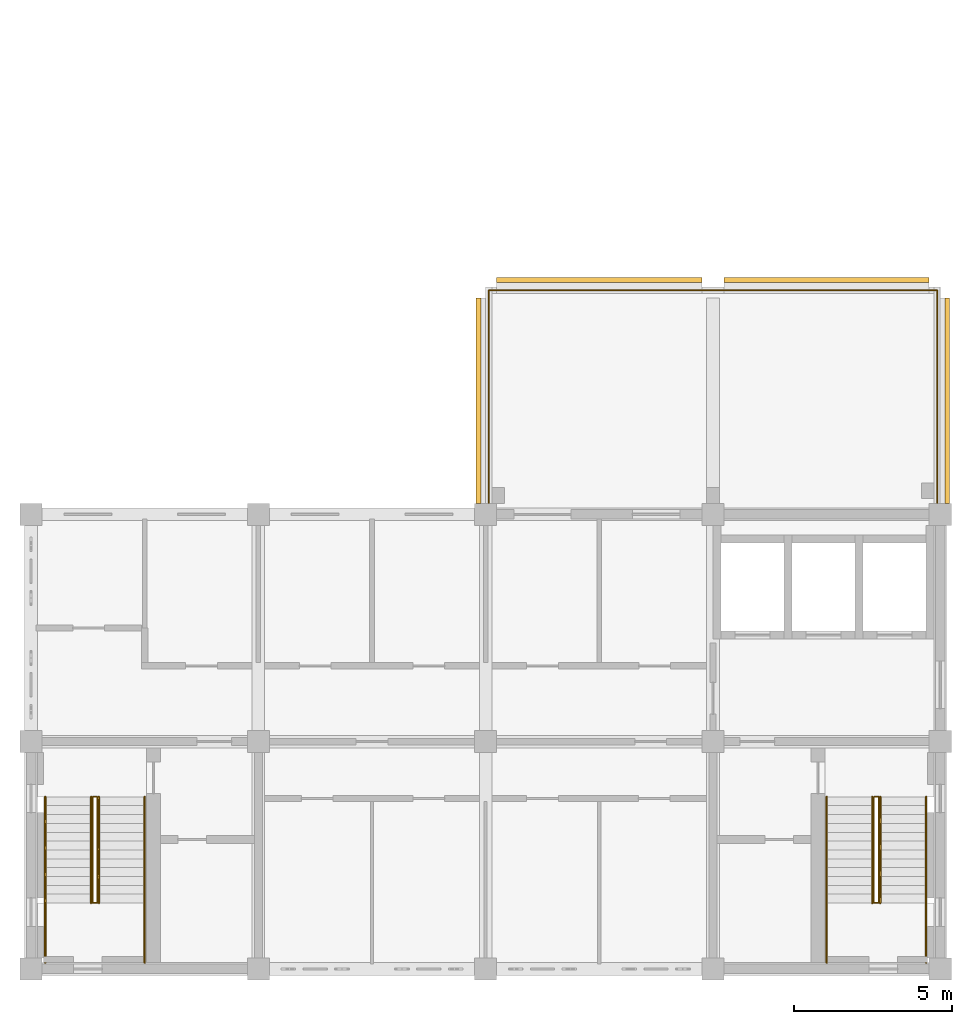
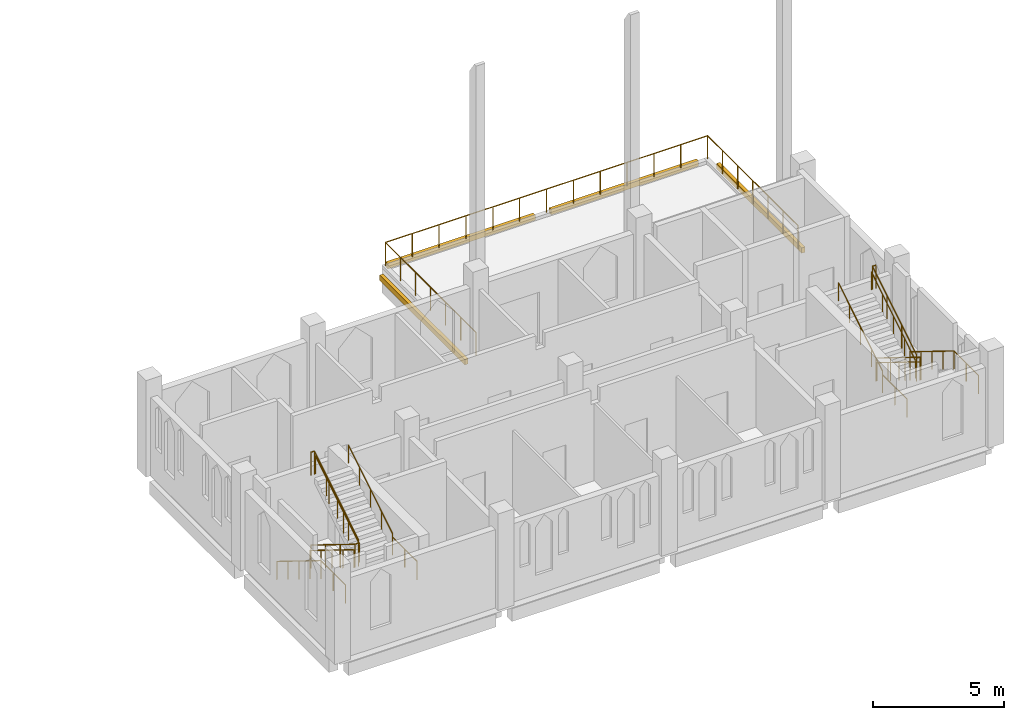
# One storey, part 5 of 5: 11 railings, 4 coverings.
"""IFC4 building model written with IfcOpenShell, lengths in metres."""

from ifc_helpers import new_model, si_unit, direction, frame, origin, origin_2d, place, context, subcontext, project, spatial, rectangle, circle, extrude, material, type_object, element, save


model = new_model("IFC4")

# Units and contexts
model_context = context("Model", 3, precision=1e-05, world=origin(), true_north=direction((0.0, 1.0)))
body_context = subcontext(model_context, "Body", "Model", "MODEL_VIEW")
ifc_project = project(units=[si_unit("LENGTHUNIT", "METRE"), si_unit("AREAUNIT", "SQUARE_METRE"), si_unit("VOLUMEUNIT", "CUBIC_METRE"), si_unit("PLANEANGLEUNIT", "RADIAN"), si_unit("MASSUNIT", "GRAM", prefix="KILO")], contexts=[model_context])

# Site, building, storey
site_placement = place(None, origin())
site = spatial("IfcSite", under=ifc_project, at=site_placement, CompositionType="ELEMENT")
building_placement = place(site_placement, origin())
building = spatial("IfcBuilding", under=site, at=building_placement, Name="Silangan Lancet Faculty of Sciences", CompositionType="ELEMENT")
storey_placement = place(building_placement, frame((0.0, 0.0, 67.800048828125)))
storey = spatial("IfcBuildingStorey", under=building, at=storey_placement, Name="L14", CompositionType="ELEMENT", Elevation=67.800048828125)

# Coverings
ifc_material_1 = material(Name="Concrete C40/50 precast", Category="concrete")
covering_type = type_object("IfcCoveringType", Name="SC1 Precast string course 250 x 150", PredefinedType="CLADDING", material=ifc_material_1)
covering_1_placement = place(storey_placement, frame((29.02490234375, 18.0, -0.25), z_axis=(0.0, 0.0, 1.0), x_axis=(1.0, 0.0, 0.0)))
element("IfcCovering", 1, at=covering_1_placement, inside=storey, type_object=covering_type, Name="SC-TERRACE-E-ST-02", PredefinedType="CLADDING", context=body_context, shape_type="SweptSolid", body=[
    extrude(rectangle(XDim=0.14990234375, YDim=6.5, at=origin_2d()), origin(), (0.0, 0.0, 1.0), 0.25),
])
for number, where, z_axis, x_axis, name in (
    (2, (25.199951171875, 21.824951171875, -0.25), (0.0, 0.0, 1.0), (1.0, 0.0, 0.0), "SC-TERRACE-N-ST-M-00"),
    (3, (18.0, 21.824951171875, -0.25), (0.0, 0.0, 1.0), (1.0, 0.0, 0.0), "SC-TERRACE-N-ST-M-01"),
):
    element("IfcCovering", number, at=place(storey_placement, frame(where, z_axis=z_axis, x_axis=x_axis)), inside=storey, type_object=covering_type, Name=name, PredefinedType="CLADDING", context=body_context, shape_type="SweptSolid", body=[
        extrude(rectangle(XDim=6.5, YDim=0.14990234375, at=origin_2d()), origin(), (0.0, 0.0, 1.0), 0.25),
    ])
covering_2_placement = place(storey_placement, frame((14.175048828125, 18.0, -0.25), z_axis=(0.0, 0.0, 1.0), x_axis=(1.0, 0.0, 0.0)))
element("IfcCovering", 4, at=covering_2_placement, inside=storey, type_object=covering_type, Name="SC-TERRACE-W-ST-R-00", PredefinedType="CLADDING", context=body_context, shape_type="SweptSolid", body=[
    extrude(rectangle(XDim=0.14990234375, YDim=6.5, at=origin_2d()), origin(), (0.0, 0.0, 1.0), 0.25),
])

# Railings
ifc_material_2 = material(Name="Steel balustrade", Category="steel")
railing_type_1 = type_object("IfcRailingType", Name="STAIR GUARD 1100", PredefinedType="GUARDRAIL", material=ifc_material_2)
railing_1_placement = place(storey_placement, frame((1.949951171875, 5.449951171875, 0.173095703125)))
element("IfcRailing", 5, at=railing_1_placement, inside=storey, type_object=railing_type_1, Name="GUARD-ST-A-L14", PredefinedType="GUARDRAIL", context=body_context, shape_type="SweptSolid", body=[
    extrude(circle(Radius=0.02392578125, at=origin_2d()), frame((0.0, 0.0, 1.076171875), z_axis=(0.0, -0.850606129759, 0.525803396734), x_axis=(1.0, 0.0, 0.0)), (0.0, 0.0, 1.0), 3.949951171875),
    extrude(circle(Radius=0.02392578125, at=origin_2d()), frame((0.0, -3.35986328125, 3.15283203125), z_axis=(1.0, 0.0, 0.0), x_axis=(0.0, 1.0, 0.0)), (0.0, 0.0, 1.0), 0.150146484375),
    extrude(circle(Radius=0.02392578125, at=origin_2d()), frame((0.150146484375, -3.35986328125, 3.15283203125), z_axis=(0.0, 0.0, 1.0), x_axis=(1.0, 0.0, 0.0)), (0.0, 0.0, 1.0), 0.173095703125),
    extrude(circle(Radius=0.02392578125, at=origin_2d()), frame((0.150146484375, -3.35986328125, 3.326171875), z_axis=(0.0, 0.850606129759, 0.525803396734), x_axis=(-1.0, 0.0, 0.0)), (0.0, 0.0, 1.0), 3.949951171875),
    extrude(circle(Radius=0.02392578125, at=origin_2d()), frame((0.150146484375, 0.0, 5.40283203125), z_axis=(-1.0, 0.0, 0.0), x_axis=(0.0, -1.0, 0.0)), (0.0, 0.0, 1.0), 0.150146484375),
    extrude(circle(Radius=0.02099609375, at=origin_2d()), origin(), (0.0, 0.0, 1.0), 1.052001953125),
    extrude(circle(Radius=0.02099609375, at=origin_2d()), frame((0.0, -1.119873046875, 0.6923828125)), (0.0, 0.0, 1.0), 1.052001953125),
    extrude(circle(Radius=0.02099609375, at=origin_2d()), frame((0.0, -2.239990234375, 1.384521484375)), (0.0, 0.0, 1.0), 1.052001953125),
    extrude(circle(Radius=0.02099609375, at=origin_2d()), frame((0.0, -3.35986328125, 2.076904296875)), (0.0, 0.0, 1.0), 1.052001953125),
    extrude(circle(Radius=0.02099609375, at=origin_2d()), frame((0.150146484375, -3.35986328125, 2.076904296875)), (0.0, 0.0, 1.0), 1.052001953125),
    extrude(circle(Radius=0.02099609375, at=origin_2d()), frame((0.150146484375, -3.35986328125, 2.25)), (0.0, 0.0, 1.0), 1.052001953125),
    extrude(circle(Radius=0.02099609375, at=origin_2d()), frame((0.150146484375, -2.239990234375, 2.9423828125)), (0.0, 0.0, 1.0), 1.052001953125),
    extrude(circle(Radius=0.02099609375, at=origin_2d()), frame((0.150146484375, -1.119873046875, 3.634521484375)), (0.0, 0.0, 1.0), 1.052001953125),
    extrude(circle(Radius=0.02099609375, at=origin_2d()), frame((0.150146484375, 0.0, 4.326904296875)), (0.0, 0.0, 1.0), 1.052001953125),
    extrude(circle(Radius=0.02099609375, at=origin_2d()), frame((0.0, 0.0, 4.326904296875)), (0.0, 0.0, 1.0), 1.052001953125),
])
railing_2_placement = place(storey_placement, frame((26.85009765625, 5.449951171875, 0.173095703125)))
element("IfcRailing", 6, at=railing_2_placement, inside=storey, type_object=railing_type_1, Name="GUARD-ST-B-L14", PredefinedType="GUARDRAIL", context=body_context, shape_type="SweptSolid", body=[
    extrude(circle(Radius=0.02392578125, at=origin_2d()), frame((0.0, 0.0, 1.076171875), z_axis=(0.0, -0.850606129759, 0.525803396734), x_axis=(1.0, 0.0, 0.0)), (0.0, 0.0, 1.0), 3.949951171875),
    extrude(circle(Radius=0.02392578125, at=origin_2d()), frame((0.0, -3.35986328125, 3.15283203125), z_axis=(-1.0, 0.0, 0.0), x_axis=(0.0, -1.0, 0.0)), (0.0, 0.0, 1.0), 0.150146484375),
    extrude(circle(Radius=0.02392578125, at=origin_2d()), frame((-0.150146484375, -3.35986328125, 3.15283203125), z_axis=(0.0, 0.0, 1.0), x_axis=(1.0, 0.0, 0.0)), (0.0, 0.0, 1.0), 0.173095703125),
    extrude(circle(Radius=0.02392578125, at=origin_2d()), frame((-0.150146484375, -3.35986328125, 3.326171875), z_axis=(0.0, 0.850606129759, 0.525803396734), x_axis=(-1.0, 0.0, 0.0)), (0.0, 0.0, 1.0), 3.949951171875),
    extrude(circle(Radius=0.02392578125, at=origin_2d()), frame((-0.150146484375, 0.0, 5.40283203125), z_axis=(1.0, 0.0, 0.0), x_axis=(0.0, 1.0, 0.0)), (0.0, 0.0, 1.0), 0.150146484375),
    extrude(circle(Radius=0.02099609375, at=origin_2d()), origin(), (0.0, 0.0, 1.0), 1.052001953125),
    extrude(circle(Radius=0.02099609375, at=origin_2d()), frame((0.0, -1.119873046875, 0.6923828125)), (0.0, 0.0, 1.0), 1.052001953125),
    extrude(circle(Radius=0.02099609375, at=origin_2d()), frame((0.0, -2.239990234375, 1.384521484375)), (0.0, 0.0, 1.0), 1.052001953125),
    extrude(circle(Radius=0.02099609375, at=origin_2d()), frame((0.0, -3.35986328125, 2.076904296875)), (0.0, 0.0, 1.0), 1.052001953125),
    extrude(circle(Radius=0.02099609375, at=origin_2d()), frame((-0.150146484375, -3.35986328125, 2.076904296875)), (0.0, 0.0, 1.0), 1.052001953125),
    extrude(circle(Radius=0.02099609375, at=origin_2d()), frame((-0.150146484375, -3.35986328125, 2.25)), (0.0, 0.0, 1.0), 1.052001953125),
    extrude(circle(Radius=0.02099609375, at=origin_2d()), frame((-0.150146484375, -2.239990234375, 2.9423828125)), (0.0, 0.0, 1.0), 1.052001953125),
    extrude(circle(Radius=0.02099609375, at=origin_2d()), frame((-0.150146484375, -1.119873046875, 3.634521484375)), (0.0, 0.0, 1.0), 1.052001953125),
    extrude(circle(Radius=0.02099609375, at=origin_2d()), frame((-0.150146484375, 0.0, 4.326904296875)), (0.0, 0.0, 1.0), 1.052001953125),
    extrude(circle(Radius=0.02099609375, at=origin_2d()), frame((0.0, 0.0, 4.326904296875)), (0.0, 0.0, 1.0), 1.052001953125),
])
ifc_material_3 = material(Name="Stainless steel", Category="steel")
railing_type_2 = type_object("IfcRailingType", Name="STAIR HANDRAIL 865", PredefinedType="HANDRAIL", material=ifc_material_3)
railing_3_placement = place(storey_placement, frame((0.449951171875, 5.449951171875, 0.173095703125)))
element("IfcRailing", 7, at=railing_3_placement, inside=storey, type_object=railing_type_2, Name="HANDRAIL-ST-A-L14-O1", PredefinedType="HANDRAIL", context=body_context, shape_type="SweptSolid", body=[
    extrude(circle(Radius=0.02392578125, at=origin_2d()), frame((0.0, 0.0, 0.8408203125), z_axis=(0.0, -0.850654891397, 0.525724505556), x_axis=(1.0, 0.0, 0.0)), (0.0, 0.0, 1.0), 0.9873046875),
    extrude(circle(Radius=0.02392578125, at=origin_2d()), frame((0.0, -0.83984375, 1.35986328125), z_axis=(0.0, -0.85061266112, 0.525792830631), x_axis=(1.0, 0.0, 0.0)), (0.0, 0.0, 1.0), 0.987548828125),
    extrude(circle(Radius=0.02392578125, at=origin_2d()), frame((0.0, -1.679931640625, 1.87939453125), z_axis=(0.0, -0.85061266112, 0.525792830631), x_axis=(1.0, 0.0, 0.0)), (0.0, 0.0, 1.0), 0.987548828125),
    extrude(circle(Radius=0.02392578125, at=origin_2d()), frame((0.0, -2.52001953125, 2.3984375), z_axis=(0.0, -0.850544299321, 0.52590340833), x_axis=(1.0, 0.0, 0.0)), (0.0, 0.0, 1.0), 0.9873046875),
    extrude(circle(Radius=0.02392578125, at=origin_2d()), frame((0.0, -3.35986328125, 2.91796875), z_axis=(0.0, -1.0, 0.0), x_axis=(1.0, 0.0, 0.0)), (0.0, 0.0, 1.0), 1.89013671875),
    extrude(circle(Radius=0.02099609375, at=origin_2d()), origin(), (0.0, 0.0, 1.0), 0.81689453125),
    extrude(circle(Radius=0.02099609375, at=origin_2d()), frame((0.0, -0.83984375, 0.51904296875)), (0.0, 0.0, 1.0), 0.81689453125),
    extrude(circle(Radius=0.02099609375, at=origin_2d()), frame((0.0, -1.679931640625, 1.038330078125)), (0.0, 0.0, 1.0), 0.81689453125),
    extrude(circle(Radius=0.02099609375, at=origin_2d()), frame((0.0, -2.52001953125, 1.5576171875)), (0.0, 0.0, 1.0), 0.81689453125),
    extrude(circle(Radius=0.02099609375, at=origin_2d()), frame((0.0, -3.35986328125, 2.076904296875)), (0.0, 0.0, 1.0), 0.81689453125),
    extrude(circle(Radius=0.02099609375, at=origin_2d()), frame((0.0, -4.304931640625, 2.076904296875)), (0.0, 0.0, 1.0), 0.81689453125),
    extrude(circle(Radius=0.02099609375, at=origin_2d()), frame((0.0, -5.25, 2.076904296875)), (0.0, 0.0, 1.0), 0.81689453125),
])
railing_4_placement = place(storey_placement, frame((1.89990234375, 5.449951171875, 0.173095703125)))
element("IfcRailing", 8, at=railing_4_placement, inside=storey, type_object=railing_type_2, Name="HANDRAIL-ST-A-L14-I1", PredefinedType="HANDRAIL", context=body_context, shape_type="SweptSolid", body=[
    extrude(circle(Radius=0.02392578125, at=origin_2d()), frame((0.0, 0.0, 0.8408203125), z_axis=(0.0, -0.850654891397, 0.525724505556), x_axis=(1.0, 0.0, 0.0)), (0.0, 0.0, 1.0), 0.9873046875),
    extrude(circle(Radius=0.02392578125, at=origin_2d()), frame((0.0, -0.83984375, 1.35986328125), z_axis=(0.0, -0.85061266112, 0.525792830631), x_axis=(1.0, 0.0, 0.0)), (0.0, 0.0, 1.0), 0.987548828125),
    extrude(circle(Radius=0.02392578125, at=origin_2d()), frame((0.0, -1.679931640625, 1.87939453125), z_axis=(0.0, -0.85061266112, 0.525792830631), x_axis=(1.0, 0.0, 0.0)), (0.0, 0.0, 1.0), 0.987548828125),
    extrude(circle(Radius=0.02392578125, at=origin_2d()), frame((0.0, -2.52001953125, 2.3984375), z_axis=(0.0, -0.850544299321, 0.52590340833), x_axis=(1.0, 0.0, 0.0)), (0.0, 0.0, 1.0), 0.9873046875),
    extrude(circle(Radius=0.02099609375, at=origin_2d()), origin(), (0.0, 0.0, 1.0), 0.81689453125),
    extrude(circle(Radius=0.02099609375, at=origin_2d()), frame((0.0, -0.83984375, 0.51904296875)), (0.0, 0.0, 1.0), 0.81689453125),
    extrude(circle(Radius=0.02099609375, at=origin_2d()), frame((0.0, -1.679931640625, 1.038330078125)), (0.0, 0.0, 1.0), 0.81689453125),
    extrude(circle(Radius=0.02099609375, at=origin_2d()), frame((0.0, -2.52001953125, 1.5576171875)), (0.0, 0.0, 1.0), 0.81689453125),
    extrude(circle(Radius=0.02099609375, at=origin_2d()), frame((0.0, -3.35986328125, 2.076904296875)), (0.0, 0.0, 1.0), 0.81689453125),
])
railing_5_placement = place(storey_placement, frame((3.60009765625, 0.199951171875, 2.25)))
element("IfcRailing", 9, at=railing_5_placement, inside=storey, type_object=railing_type_2, Name="HANDRAIL-ST-A-L14-O2", PredefinedType="HANDRAIL", context=body_context, shape_type="SweptSolid", body=[
    extrude(circle(Radius=0.02392578125, at=origin_2d()), frame((0.0, 0.0, 0.8408203125), z_axis=(0.0, 1.0, 0.0), x_axis=(-1.0, 0.0, 0.0)), (0.0, 0.0, 1.0), 1.89013671875),
    extrude(circle(Radius=0.02392578125, at=origin_2d()), frame((0.0, 1.89013671875, 0.8408203125), z_axis=(0.0, 0.0, 1.0), x_axis=(1.0, 0.0, 0.0)), (0.0, 0.0, 1.0), 0.173095703125),
    extrude(circle(Radius=0.02392578125, at=origin_2d()), frame((0.0, 1.89013671875, 1.01416015625), z_axis=(0.0, 0.850654891397, 0.525724505556), x_axis=(-1.0, 0.0, 0.0)), (0.0, 0.0, 1.0), 0.9873046875),
    extrude(circle(Radius=0.02392578125, at=origin_2d()), frame((0.0, 2.72998046875, 1.533203125), z_axis=(0.0, 0.85061266112, 0.525792830631), x_axis=(-1.0, 0.0, 0.0)), (0.0, 0.0, 1.0), 0.987548828125),
    extrude(circle(Radius=0.02392578125, at=origin_2d()), frame((0.0, 3.570068359375, 2.05224609375), z_axis=(0.0, 0.85061266112, 0.525792830631), x_axis=(-1.0, 0.0, 0.0)), (0.0, 0.0, 1.0), 0.987548828125),
    extrude(circle(Radius=0.02392578125, at=origin_2d()), frame((0.0, 4.41015625, 2.57177734375), z_axis=(0.0, 0.850544299321, 0.52590340833), x_axis=(-1.0, 0.0, 0.0)), (0.0, 0.0, 1.0), 0.9873046875),
    extrude(circle(Radius=0.02099609375, at=origin_2d()), origin(), (0.0, 0.0, 1.0), 0.81689453125),
    extrude(circle(Radius=0.02099609375, at=origin_2d()), frame((0.0, 0.945068359375, 0.0)), (0.0, 0.0, 1.0), 0.81689453125),
    extrude(circle(Radius=0.02099609375, at=origin_2d()), frame((0.0, 1.89013671875, 0.0)), (0.0, 0.0, 1.0), 0.81689453125),
    extrude(circle(Radius=0.02099609375, at=origin_2d()), frame((0.0, 1.89013671875, 0.173095703125)), (0.0, 0.0, 1.0), 0.81689453125),
    extrude(circle(Radius=0.02099609375, at=origin_2d()), frame((0.0, 2.72998046875, 0.692138671875)), (0.0, 0.0, 1.0), 0.81689453125),
    extrude(circle(Radius=0.02099609375, at=origin_2d()), frame((0.0, 3.570068359375, 1.21142578125)), (0.0, 0.0, 1.0), 0.81689453125),
    extrude(circle(Radius=0.02099609375, at=origin_2d()), frame((0.0, 4.41015625, 1.730712890625)), (0.0, 0.0, 1.0), 0.81689453125),
    extrude(circle(Radius=0.02099609375, at=origin_2d()), frame((0.0, 5.25, 2.25)), (0.0, 0.0, 1.0), 0.81689453125),
])
railing_6_placement = place(storey_placement, frame((2.14990234375, 2.090087890625, 2.423095703125)))
element("IfcRailing", 10, at=railing_6_placement, inside=storey, type_object=railing_type_2, Name="HANDRAIL-ST-A-L14-I2", PredefinedType="HANDRAIL", context=body_context, shape_type="SweptSolid", body=[
    extrude(circle(Radius=0.02392578125, at=origin_2d()), frame((0.0, 0.0, 0.8408203125), z_axis=(0.0, 0.850654891397, 0.525724505556), x_axis=(-1.0, 0.0, 0.0)), (0.0, 0.0, 1.0), 0.9873046875),
    extrude(circle(Radius=0.02392578125, at=origin_2d()), frame((0.0, 0.83984375, 1.35986328125), z_axis=(0.0, 0.85061266112, 0.525792830631), x_axis=(-1.0, 0.0, 0.0)), (0.0, 0.0, 1.0), 0.987548828125),
    extrude(circle(Radius=0.02392578125, at=origin_2d()), frame((0.0, 1.679931640625, 1.87939453125), z_axis=(0.0, 0.85061266112, 0.525792830631), x_axis=(-1.0, 0.0, 0.0)), (0.0, 0.0, 1.0), 0.987548828125),
    extrude(circle(Radius=0.02392578125, at=origin_2d()), frame((0.0, 2.52001953125, 2.3984375), z_axis=(0.0, 0.850544299321, 0.52590340833), x_axis=(-1.0, 0.0, 0.0)), (0.0, 0.0, 1.0), 0.9873046875),
    extrude(circle(Radius=0.02099609375, at=origin_2d()), origin(), (0.0, 0.0, 1.0), 0.81689453125),
    extrude(circle(Radius=0.02099609375, at=origin_2d()), frame((0.0, 0.83984375, 0.51904296875)), (0.0, 0.0, 1.0), 0.81689453125),
    extrude(circle(Radius=0.02099609375, at=origin_2d()), frame((0.0, 1.679931640625, 1.038330078125)), (0.0, 0.0, 1.0), 0.81689453125),
    extrude(circle(Radius=0.02099609375, at=origin_2d()), frame((0.0, 2.52001953125, 1.5576171875)), (0.0, 0.0, 1.0), 0.81689453125),
    extrude(circle(Radius=0.02099609375, at=origin_2d()), frame((0.0, 3.35986328125, 2.076904296875)), (0.0, 0.0, 1.0), 0.81689453125),
])
railing_7_placement = place(storey_placement, frame((28.35009765625, 5.449951171875, 0.173095703125)))
element("IfcRailing", 11, at=railing_7_placement, inside=storey, type_object=railing_type_2, Name="HANDRAIL-ST-B-L14-O1", PredefinedType="HANDRAIL", context=body_context, shape_type="SweptSolid", body=[
    extrude(circle(Radius=0.02392578125, at=origin_2d()), frame((0.0, 0.0, 0.8408203125), z_axis=(0.0, -0.850654891397, 0.525724505556), x_axis=(1.0, 0.0, 0.0)), (0.0, 0.0, 1.0), 0.9873046875),
    extrude(circle(Radius=0.02392578125, at=origin_2d()), frame((0.0, -0.83984375, 1.35986328125), z_axis=(0.0, -0.85061266112, 0.525792830631), x_axis=(1.0, 0.0, 0.0)), (0.0, 0.0, 1.0), 0.987548828125),
    extrude(circle(Radius=0.02392578125, at=origin_2d()), frame((0.0, -1.679931640625, 1.87939453125), z_axis=(0.0, -0.85061266112, 0.525792830631), x_axis=(1.0, 0.0, 0.0)), (0.0, 0.0, 1.0), 0.987548828125),
    extrude(circle(Radius=0.02392578125, at=origin_2d()), frame((0.0, -2.52001953125, 2.3984375), z_axis=(0.0, -0.850544299321, 0.52590340833), x_axis=(1.0, 0.0, 0.0)), (0.0, 0.0, 1.0), 0.9873046875),
    extrude(circle(Radius=0.02392578125, at=origin_2d()), frame((0.0, -3.35986328125, 2.91796875), z_axis=(0.0, -1.0, 0.0), x_axis=(1.0, 0.0, 0.0)), (0.0, 0.0, 1.0), 1.89013671875),
    extrude(circle(Radius=0.02099609375, at=origin_2d()), origin(), (0.0, 0.0, 1.0), 0.81689453125),
    extrude(circle(Radius=0.02099609375, at=origin_2d()), frame((0.0, -0.83984375, 0.51904296875)), (0.0, 0.0, 1.0), 0.81689453125),
    extrude(circle(Radius=0.02099609375, at=origin_2d()), frame((0.0, -1.679931640625, 1.038330078125)), (0.0, 0.0, 1.0), 0.81689453125),
    extrude(circle(Radius=0.02099609375, at=origin_2d()), frame((0.0, -2.52001953125, 1.5576171875)), (0.0, 0.0, 1.0), 0.81689453125),
    extrude(circle(Radius=0.02099609375, at=origin_2d()), frame((0.0, -3.35986328125, 2.076904296875)), (0.0, 0.0, 1.0), 0.81689453125),
    extrude(circle(Radius=0.02099609375, at=origin_2d()), frame((0.0, -4.304931640625, 2.076904296875)), (0.0, 0.0, 1.0), 0.81689453125),
    extrude(circle(Radius=0.02099609375, at=origin_2d()), frame((0.0, -5.25, 2.076904296875)), (0.0, 0.0, 1.0), 0.81689453125),
])
railing_8_placement = place(storey_placement, frame((26.89990234375, 5.449951171875, 0.173095703125)))
element("IfcRailing", 12, at=railing_8_placement, inside=storey, type_object=railing_type_2, Name="HANDRAIL-ST-B-L14-I1", PredefinedType="HANDRAIL", context=body_context, shape_type="SweptSolid", body=[
    extrude(circle(Radius=0.02392578125, at=origin_2d()), frame((0.0, 0.0, 0.8408203125), z_axis=(0.0, -0.850654891397, 0.525724505556), x_axis=(1.0, 0.0, 0.0)), (0.0, 0.0, 1.0), 0.9873046875),
    extrude(circle(Radius=0.02392578125, at=origin_2d()), frame((0.0, -0.83984375, 1.35986328125), z_axis=(0.0, -0.85061266112, 0.525792830631), x_axis=(1.0, 0.0, 0.0)), (0.0, 0.0, 1.0), 0.987548828125),
    extrude(circle(Radius=0.02392578125, at=origin_2d()), frame((0.0, -1.679931640625, 1.87939453125), z_axis=(0.0, -0.85061266112, 0.525792830631), x_axis=(1.0, 0.0, 0.0)), (0.0, 0.0, 1.0), 0.987548828125),
    extrude(circle(Radius=0.02392578125, at=origin_2d()), frame((0.0, -2.52001953125, 2.3984375), z_axis=(0.0, -0.850544299321, 0.52590340833), x_axis=(1.0, 0.0, 0.0)), (0.0, 0.0, 1.0), 0.9873046875),
    extrude(circle(Radius=0.02099609375, at=origin_2d()), origin(), (0.0, 0.0, 1.0), 0.81689453125),
    extrude(circle(Radius=0.02099609375, at=origin_2d()), frame((0.0, -0.83984375, 0.51904296875)), (0.0, 0.0, 1.0), 0.81689453125),
    extrude(circle(Radius=0.02099609375, at=origin_2d()), frame((0.0, -1.679931640625, 1.038330078125)), (0.0, 0.0, 1.0), 0.81689453125),
    extrude(circle(Radius=0.02099609375, at=origin_2d()), frame((0.0, -2.52001953125, 1.5576171875)), (0.0, 0.0, 1.0), 0.81689453125),
    extrude(circle(Radius=0.02099609375, at=origin_2d()), frame((0.0, -3.35986328125, 2.076904296875)), (0.0, 0.0, 1.0), 0.81689453125),
])
railing_9_placement = place(storey_placement, frame((25.199951171875, 0.199951171875, 2.25)))
element("IfcRailing", 13, at=railing_9_placement, inside=storey, type_object=railing_type_2, Name="HANDRAIL-ST-B-L14-O2", PredefinedType="HANDRAIL", context=body_context, shape_type="SweptSolid", body=[
    extrude(circle(Radius=0.02392578125, at=origin_2d()), frame((0.0, 0.0, 0.8408203125), z_axis=(0.0, 1.0, 0.0), x_axis=(-1.0, 0.0, 0.0)), (0.0, 0.0, 1.0), 1.89013671875),
    extrude(circle(Radius=0.02392578125, at=origin_2d()), frame((0.0, 1.89013671875, 0.8408203125), z_axis=(0.0, 0.0, 1.0), x_axis=(1.0, 0.0, 0.0)), (0.0, 0.0, 1.0), 0.173095703125),
    extrude(circle(Radius=0.02392578125, at=origin_2d()), frame((0.0, 1.89013671875, 1.01416015625), z_axis=(0.0, 0.850654891397, 0.525724505556), x_axis=(-1.0, 0.0, 0.0)), (0.0, 0.0, 1.0), 0.9873046875),
    extrude(circle(Radius=0.02392578125, at=origin_2d()), frame((0.0, 2.72998046875, 1.533203125), z_axis=(0.0, 0.85061266112, 0.525792830631), x_axis=(-1.0, 0.0, 0.0)), (0.0, 0.0, 1.0), 0.987548828125),
    extrude(circle(Radius=0.02392578125, at=origin_2d()), frame((0.0, 3.570068359375, 2.05224609375), z_axis=(0.0, 0.85061266112, 0.525792830631), x_axis=(-1.0, 0.0, 0.0)), (0.0, 0.0, 1.0), 0.987548828125),
    extrude(circle(Radius=0.02392578125, at=origin_2d()), frame((0.0, 4.41015625, 2.57177734375), z_axis=(0.0, 0.850544299321, 0.52590340833), x_axis=(-1.0, 0.0, 0.0)), (0.0, 0.0, 1.0), 0.9873046875),
    extrude(circle(Radius=0.02099609375, at=origin_2d()), origin(), (0.0, 0.0, 1.0), 0.81689453125),
    extrude(circle(Radius=0.02099609375, at=origin_2d()), frame((0.0, 0.945068359375, 0.0)), (0.0, 0.0, 1.0), 0.81689453125),
    extrude(circle(Radius=0.02099609375, at=origin_2d()), frame((0.0, 1.89013671875, 0.0)), (0.0, 0.0, 1.0), 0.81689453125),
    extrude(circle(Radius=0.02099609375, at=origin_2d()), frame((0.0, 1.89013671875, 0.173095703125)), (0.0, 0.0, 1.0), 0.81689453125),
    extrude(circle(Radius=0.02099609375, at=origin_2d()), frame((0.0, 2.72998046875, 0.692138671875)), (0.0, 0.0, 1.0), 0.81689453125),
    extrude(circle(Radius=0.02099609375, at=origin_2d()), frame((0.0, 3.570068359375, 1.21142578125)), (0.0, 0.0, 1.0), 0.81689453125),
    extrude(circle(Radius=0.02099609375, at=origin_2d()), frame((0.0, 4.41015625, 1.730712890625)), (0.0, 0.0, 1.0), 0.81689453125),
    extrude(circle(Radius=0.02099609375, at=origin_2d()), frame((0.0, 5.25, 2.25)), (0.0, 0.0, 1.0), 0.81689453125),
])
railing_10_placement = place(storey_placement, frame((26.64990234375, 2.090087890625, 2.423095703125)))
element("IfcRailing", 14, at=railing_10_placement, inside=storey, type_object=railing_type_2, Name="HANDRAIL-ST-B-L14-I2", PredefinedType="HANDRAIL", context=body_context, shape_type="SweptSolid", body=[
    extrude(circle(Radius=0.02392578125, at=origin_2d()), frame((0.0, 0.0, 0.8408203125), z_axis=(0.0, 0.850654891397, 0.525724505556), x_axis=(-1.0, 0.0, 0.0)), (0.0, 0.0, 1.0), 0.9873046875),
    extrude(circle(Radius=0.02392578125, at=origin_2d()), frame((0.0, 0.83984375, 1.35986328125), z_axis=(0.0, 0.85061266112, 0.525792830631), x_axis=(-1.0, 0.0, 0.0)), (0.0, 0.0, 1.0), 0.987548828125),
    extrude(circle(Radius=0.02392578125, at=origin_2d()), frame((0.0, 1.679931640625, 1.87939453125), z_axis=(0.0, 0.85061266112, 0.525792830631), x_axis=(-1.0, 0.0, 0.0)), (0.0, 0.0, 1.0), 0.987548828125),
    extrude(circle(Radius=0.02392578125, at=origin_2d()), frame((0.0, 2.52001953125, 2.3984375), z_axis=(0.0, 0.850544299321, 0.52590340833), x_axis=(-1.0, 0.0, 0.0)), (0.0, 0.0, 1.0), 0.9873046875),
    extrude(circle(Radius=0.02099609375, at=origin_2d()), origin(), (0.0, 0.0, 1.0), 0.81689453125),
    extrude(circle(Radius=0.02099609375, at=origin_2d()), frame((0.0, 0.83984375, 0.51904296875)), (0.0, 0.0, 1.0), 0.81689453125),
    extrude(circle(Radius=0.02099609375, at=origin_2d()), frame((0.0, 1.679931640625, 1.038330078125)), (0.0, 0.0, 1.0), 0.81689453125),
    extrude(circle(Radius=0.02099609375, at=origin_2d()), frame((0.0, 2.52001953125, 1.5576171875)), (0.0, 0.0, 1.0), 0.81689453125),
    extrude(circle(Radius=0.02099609375, at=origin_2d()), frame((0.0, 3.35986328125, 2.076904296875)), (0.0, 0.0, 1.0), 0.81689453125),
])
ifc_material_4 = material(Name="Steel balustrade", Category="steel")
railing_type_3 = type_object("IfcRailingType", Name="Terrace edge guard 1100", PredefinedType="GUARDRAIL", material=ifc_material_4)
railing_11_placement = place(storey_placement, frame((28.699951171875, 14.60009765625, 0.14990234375)))
element("IfcRailing", 15, at=railing_11_placement, inside=storey, type_object=railing_type_3, Name="Terrace edge guard ST-T2", PredefinedType="GUARDRAIL", context=body_context, shape_type="SweptSolid", body=[
    extrude(circle(Radius=0.02392578125, at=origin_2d()), frame((0.0, 0.0, 1.076171875), z_axis=(0.0, 1.0, 0.0), x_axis=(-1.0, 0.0, 0.0)), (0.0, 0.0, 1.0), 6.89990234375),
    extrude(circle(Radius=0.02392578125, at=origin_2d()), frame((0.0, 6.89990234375, 1.076171875), z_axis=(-1.0, 0.0, 0.0), x_axis=(0.0, -1.0, 0.0)), (0.0, 0.0, 1.0), 14.199951171875),
    extrude(circle(Radius=0.02392578125, at=origin_2d()), frame((-14.199951171875, 6.89990234375, 1.076171875), z_axis=(0.0, -1.0, 0.0), x_axis=(1.0, 0.0, 0.0)), (0.0, 0.0, 1.0), 6.89990234375),
    extrude(circle(Radius=0.02099609375, at=origin_2d()), origin(), (0.0, 0.0, 1.0), 1.052001953125),
    extrude(circle(Radius=0.02099609375, at=origin_2d()), frame((0.0, 1.14990234375, 0.0)), (0.0, 0.0, 1.0), 1.052001953125),
    extrude(circle(Radius=0.02099609375, at=origin_2d()), frame((0.0, 2.300048828125, 0.0)), (0.0, 0.0, 1.0), 1.052001953125),
    extrude(circle(Radius=0.02099609375, at=origin_2d()), frame((0.0, 3.449951171875, 0.0)), (0.0, 0.0, 1.0), 1.052001953125),
    extrude(circle(Radius=0.02099609375, at=origin_2d()), frame((0.0, 4.599853515625, 0.0)), (0.0, 0.0, 1.0), 1.052001953125),
    extrude(circle(Radius=0.02099609375, at=origin_2d()), frame((0.0, 5.75, 0.0)), (0.0, 0.0, 1.0), 1.052001953125),
    extrude(circle(Radius=0.02099609375, at=origin_2d()), frame((0.0, 6.89990234375, 0.0)), (0.0, 0.0, 1.0), 1.052001953125),
    extrude(circle(Radius=0.02099609375, at=origin_2d()), frame((-1.183349609375, 6.89990234375, 0.0)), (0.0, 0.0, 1.0), 1.052001953125),
    extrude(circle(Radius=0.02099609375, at=origin_2d()), frame((-2.36669921875, 6.89990234375, 0.0)), (0.0, 0.0, 1.0), 1.052001953125),
    extrude(circle(Radius=0.02099609375, at=origin_2d()), frame((-3.550048828125, 6.89990234375, 0.0)), (0.0, 0.0, 1.0), 1.052001953125),
    extrude(circle(Radius=0.02099609375, at=origin_2d()), frame((-4.7333984375, 6.89990234375, 0.0)), (0.0, 0.0, 1.0), 1.052001953125),
    extrude(circle(Radius=0.02099609375, at=origin_2d()), frame((-5.916748046875, 6.89990234375, 0.0)), (0.0, 0.0, 1.0), 1.052001953125),
    extrude(circle(Radius=0.02099609375, at=origin_2d()), frame((-7.10009765625, 6.89990234375, 0.0)), (0.0, 0.0, 1.0), 1.052001953125),
    extrude(circle(Radius=0.02099609375, at=origin_2d()), frame((-8.283203125, 6.89990234375, 0.0)), (0.0, 0.0, 1.0), 1.052001953125),
    extrude(circle(Radius=0.02099609375, at=origin_2d()), frame((-9.466552734375, 6.89990234375, 0.0)), (0.0, 0.0, 1.0), 1.052001953125),
    extrude(circle(Radius=0.02099609375, at=origin_2d()), frame((-10.64990234375, 6.89990234375, 0.0)), (0.0, 0.0, 1.0), 1.052001953125),
    extrude(circle(Radius=0.02099609375, at=origin_2d()), frame((-11.833251953125, 6.89990234375, 0.0)), (0.0, 0.0, 1.0), 1.052001953125),
    extrude(circle(Radius=0.02099609375, at=origin_2d()), frame((-13.0166015625, 6.89990234375, 0.0)), (0.0, 0.0, 1.0), 1.052001953125),
    extrude(circle(Radius=0.02099609375, at=origin_2d()), frame((-14.199951171875, 6.89990234375, 0.0)), (0.0, 0.0, 1.0), 1.052001953125),
    extrude(circle(Radius=0.02099609375, at=origin_2d()), frame((-14.199951171875, 5.75, 0.0)), (0.0, 0.0, 1.0), 1.052001953125),
    extrude(circle(Radius=0.02099609375, at=origin_2d()), frame((-14.199951171875, 4.599853515625, 0.0)), (0.0, 0.0, 1.0), 1.052001953125),
    extrude(circle(Radius=0.02099609375, at=origin_2d()), frame((-14.199951171875, 3.449951171875, 0.0)), (0.0, 0.0, 1.0), 1.052001953125),
    extrude(circle(Radius=0.02099609375, at=origin_2d()), frame((-14.199951171875, 2.300048828125, 0.0)), (0.0, 0.0, 1.0), 1.052001953125),
    extrude(circle(Radius=0.02099609375, at=origin_2d()), frame((-14.199951171875, 1.14990234375, 0.0)), (0.0, 0.0, 1.0), 1.052001953125),
    extrude(circle(Radius=0.02099609375, at=origin_2d()), frame((-14.199951171875, 0.0, 0.0)), (0.0, 0.0, 1.0), 1.052001953125),
])

save(model, "model.ifc")
